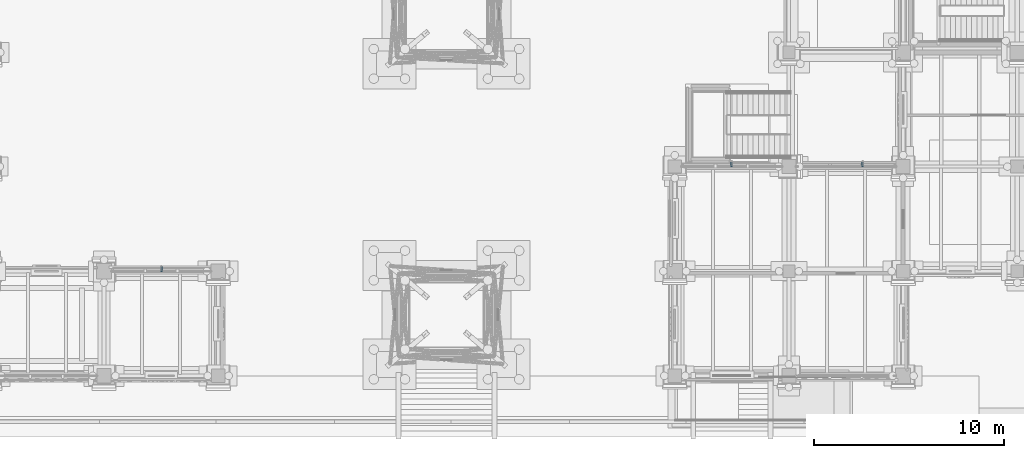
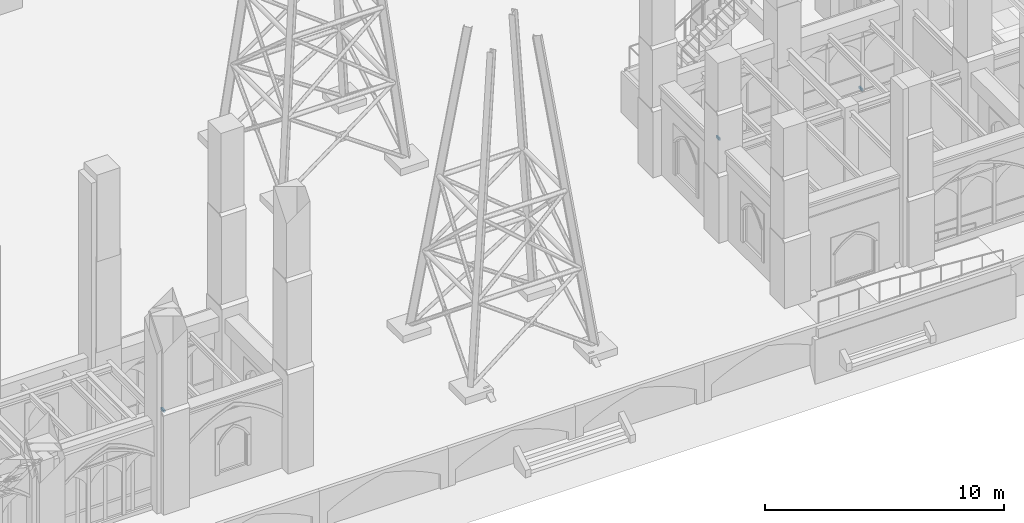
# One storey, part 73 of 135: 3 discrete accessories.
"""IFC4 building model written with IfcOpenShell, lengths in metres."""

from ifc_helpers import new_model, si_unit, direction, frame, origin, origin_2d, place, context, subcontext, project, spatial, rectangle, extrude, material, type_object, element, save


model = new_model("IFC4")

# Units and contexts
model_context = context("Model", 3, precision=1e-05, world=origin(), true_north=direction((0.0, 1.0)))
body_context = subcontext(model_context, "Body", "Model", "MODEL_VIEW")
ifc_project = project(units=[si_unit("LENGTHUNIT", "METRE"), si_unit("AREAUNIT", "SQUARE_METRE"), si_unit("VOLUMEUNIT", "CUBIC_METRE"), si_unit("PLANEANGLEUNIT", "RADIAN"), si_unit("MASSUNIT", "GRAM", prefix="KILO")], contexts=[model_context])

# Site, building, storey
site_placement = place(None, origin())
site = spatial("IfcSite", under=ifc_project, at=site_placement, CompositionType="ELEMENT")
building_placement = place(site_placement, origin())
building = spatial("IfcBuilding", under=site, at=building_placement, Name="Cumevento Cable Car Station", CompositionType="ELEMENT")
storey_placement = place(building_placement, origin())
storey = spatial("IfcBuildingStorey", under=building, at=storey_placement, Name="L01", CompositionType="ELEMENT", Elevation=0.0)

# Discrete accessories
ifc_material = material(Name="Steel ASTM A572 Grade 50", Category="steel")
discrete_accessory_type = type_object("IfcDiscreteAccessoryType", Name="Fin Support Bracket BK-01", PredefinedType="BRACKET", material=ifc_material)
for number, where, z_axis, x_axis, name in (
    (1, (79.012451171875, 9.610107421875, 0.219970703125), (0.0, 0.0, 1.0), (1.0, 0.0, 0.0), "Solar Fin Bracket #6"),
    (2, (108.987548828125, 15.110107421875, 0.27001953125), (0.0, 0.0, 1.0), (1.0, 0.0, 0.0), "Solar Fin Bracket #7"),
    (3, (115.875, 15.110107421875, 0.369873046875), (0.0, 0.0, 1.0), (1.0, 0.0, 0.0), "Solar Fin Bracket #8"),
):
    element("IfcDiscreteAccessory", number, at=place(storey_placement, frame(where, z_axis=z_axis, x_axis=x_axis)), inside=storey, type_object=discrete_accessory_type, Name=name, PredefinedType="BRACKET", context=body_context, shape_type="SweptSolid", body=[
        extrude(rectangle(XDim=0.080078125, YDim=0.260009765625, at=origin_2d()), origin(), (0.0, 0.0, 1.0), 0.1201171875),
    ])

save(model, "model.ifc")
